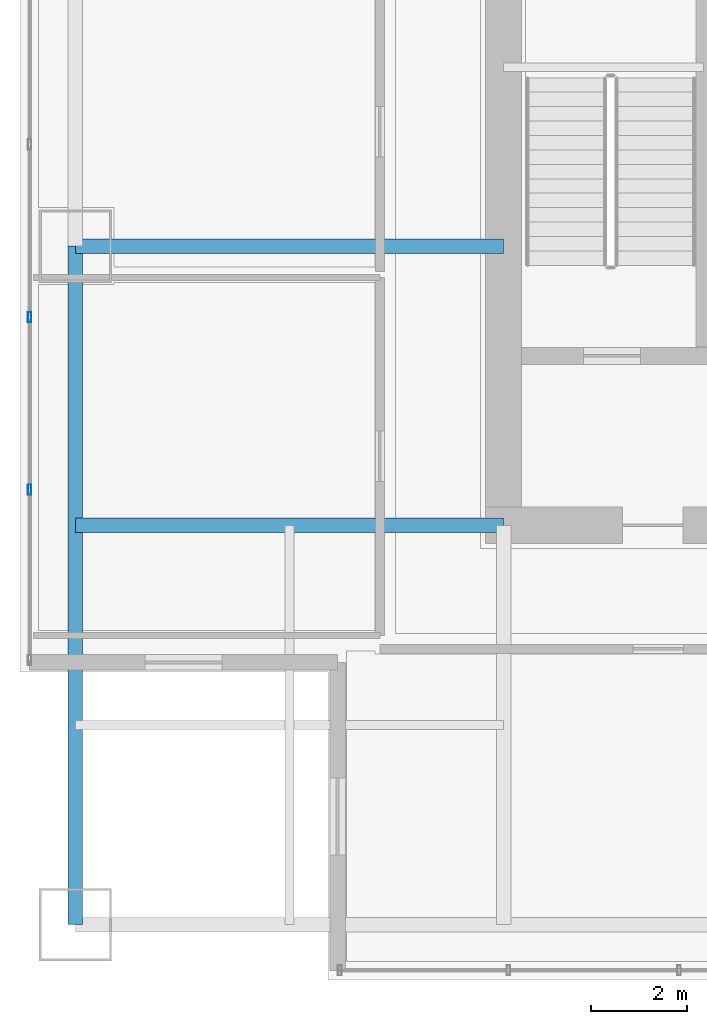
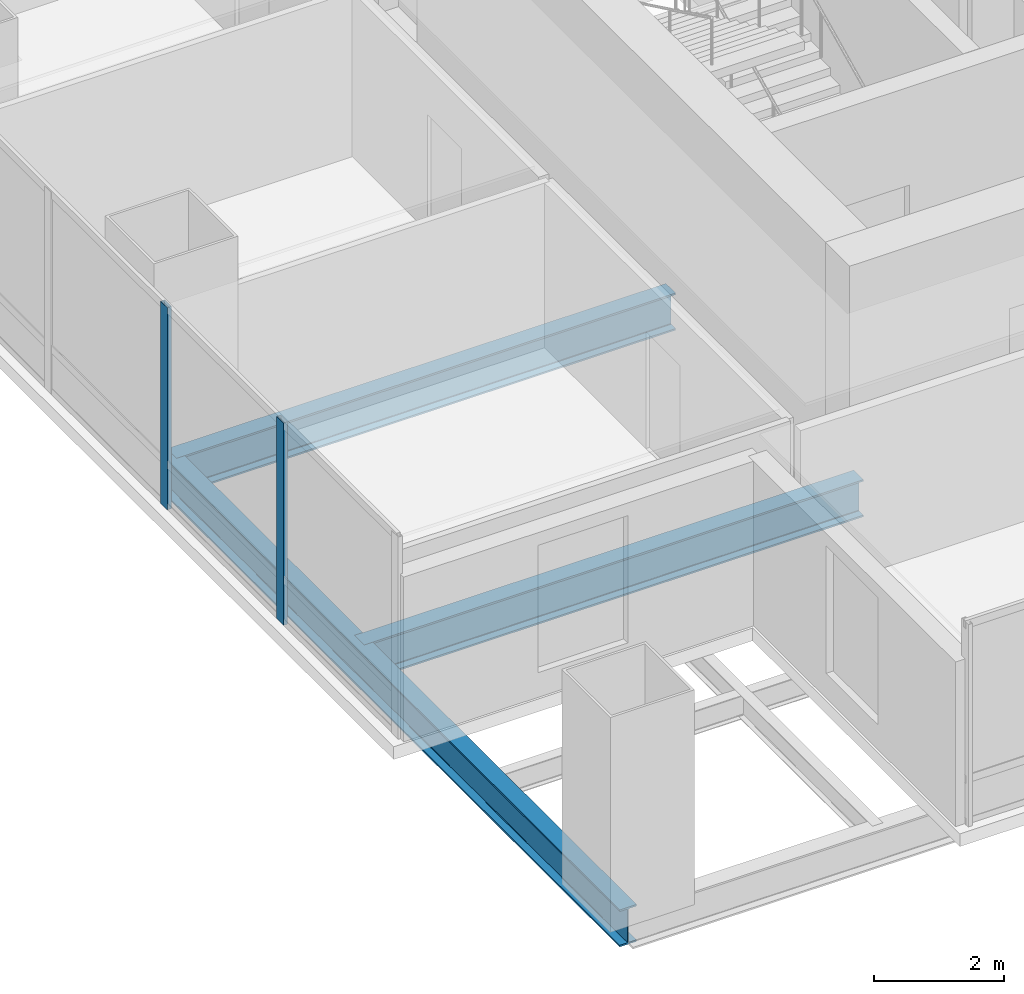
# One storey, part 4 of 34: 3 beams, 2 members, 1 element without a shape of its own.
"""IFC4 building model written with IfcOpenShell, lengths in metres."""

import ifcopenshell
import ifcopenshell.guid

model = None  # the IFC model being written
_history = None  # IfcOwnerHistory: only IFC2X3 demands one
_inside = {}  # id of a spatial element -> (the spatial element, [elements in it])
_under = {}  # id of a project, library or spatial element -> (it, [spatial elements below it])
_declared = {}  # id of a project -> (the project, [libraries it declares])
_typed = {}  # id of a type object -> (the type object, [elements of that type])
_made_of = {}  # id of a material, layer set ... -> (it, [elements and type objects made of it])


def new_model(schema):
    """Start an empty IFC model of exactly this schema.

    Asked for "IFC4X3", IfcOpenShell would pick the latest addendum, in which some entities
    have other attributes; the version numbers below select the first issue.
    IFC2X3 requires an IfcOwnerHistory on every rooted entity: one is made here for all.
    """
    global model, _history
    if schema == "IFC4X3":
        model = ifcopenshell.file(schema_version=(4, 3, 0, 0))
    else:
        model = ifcopenshell.file(schema=schema)
    _inside.clear()
    _under.clear()
    _declared.clear()
    _typed.clear()
    _made_of.clear()
    _history = None
    if model.schema == "IFC2X3":
        org = make("IfcOrganization", Name="unknown")
        user = make(
            "IfcPersonAndOrganization",
            ThePerson=make("IfcPerson", FamilyName="unknown"),
            TheOrganization=org,
        )
        app = make(
            "IfcApplication",
            ApplicationDeveloper=org,
            Version="unknown",
            ApplicationFullName="unknown",
            ApplicationIdentifier="unknown",
        )
        _history = make(
            "IfcOwnerHistory",
            OwningUser=user,
            OwningApplication=app,
            ChangeAction="ADDED",
            CreationDate=0,
        )
    return model


def make(cls, **values):
    """One entity of the class cls with the attributes given. An attribute that is None is left unset."""
    return model.create_entity(
        cls, **{name: value for name, value in values.items() if value is not None}
    )


def rooted(cls, **values):
    """An entity with a GlobalId (a new one), such as an element, a storey or a relation."""
    return make(cls, GlobalId=ifcopenshell.guid.new(), OwnerHistory=_history, **values)


def si_unit(unit_type, name, prefix=None):
    """IfcSIUnit, for example si_unit("LENGTHUNIT", "METRE", prefix="MILLI")."""
    return make("IfcSIUnit", UnitType=unit_type, Prefix=prefix, Name=name)


def assignment(units):
    """IfcUnitAssignment: the units of a project."""
    return None if units is None else make("IfcUnitAssignment", Units=units)


def point(xyz):
    """IfcCartesianPoint."""
    return None if xyz is None else make("IfcCartesianPoint", Coordinates=xyz)


def direction(xyz):
    """IfcDirection."""
    return None if xyz is None else make("IfcDirection", DirectionRatios=xyz)


def frame(location, z_axis=None, x_axis=None):
    """IfcAxis2Placement3D, a coordinate frame: its origin and axes. An axis left out is left unset."""
    return make(
        "IfcAxis2Placement3D",
        Location=point(location),
        Axis=direction(z_axis),
        RefDirection=direction(x_axis),
    )


def frame_2d(location, x_axis=None):
    """IfcAxis2Placement2D, a coordinate frame in the plane: its origin and x axis."""
    return make(
        "IfcAxis2Placement2D", Location=point(location), RefDirection=direction(x_axis)
    )


def origin():
    """The frame at (0, 0, 0) with its axes left unset."""
    return frame((0.0, 0.0, 0.0))


def origin_2d():
    """The frame at (0, 0) in the plane with its x axis left unset."""
    return frame_2d((0.0, 0.0))


def place(relative_to, where):
    """IfcLocalPlacement: puts the frame where relative to a parent placement (None: the world)."""
    return make(
        "IfcLocalPlacement", PlacementRelTo=relative_to, RelativePlacement=where
    )


def context(
    kind, dimensions, precision=None, world=None, true_north=None, identifier=None
):
    """IfcGeometricRepresentationContext, for example the 3D "Model" context."""
    return make(
        "IfcGeometricRepresentationContext",
        ContextIdentifier=identifier,
        ContextType=kind,
        CoordinateSpaceDimension=dimensions,
        Precision=precision,
        WorldCoordinateSystem=world,
        TrueNorth=true_north,
    )


def subcontext(parent, identifier, kind, view, scale=None):
    """IfcGeometricRepresentationSubContext, for example "Body" below "Model"."""
    return make(
        "IfcGeometricRepresentationSubContext",
        ContextIdentifier=identifier,
        ContextType=kind,
        ParentContext=parent,
        TargetScale=scale,
        TargetView=view,
    )


def project(units=None, contexts=None):
    """IfcProject with its units and contexts."""
    return rooted(
        "IfcProject",
        Name="project",
        RepresentationContexts=contexts,
        UnitsInContext=assignment(units),
    )


def spatial(cls, under=None, at=None, **own):
    """A site, building, storey or space (cls), placed at a placement, below another one or the project."""
    s = rooted(cls, ObjectPlacement=at, **own)
    if under is not None:
        _under.setdefault(under.id(), (under, []))[1].append(s)
    return s


def profile(cls, at=None, kind="AREA", **sizes):
    """A parametric profile (cls). Its sizes go by their IFC names, for example OverallWidth=200.0."""
    return make(cls, ProfileType=kind, Position=at, **sizes)


def hollow_rectangle(**sizes):
    """IfcRectangleHollowProfileDef."""
    return profile("IfcRectangleHollowProfileDef", **sizes)


def i_section(**sizes):
    """IfcIShapeProfileDef."""
    return profile("IfcIShapeProfileDef", **sizes)


def extrude(swept, where, along, depth):
    """IfcExtrudedAreaSolid: the profile swept, set in the frame where, extruded along a direction by depth."""
    return make(
        "IfcExtrudedAreaSolid",
        SweptArea=swept,
        Position=where,
        ExtrudedDirection=direction(along),
        Depth=depth,
    )


def shape(context_of_items, identifier, shape_type, items):
    """IfcShapeRepresentation: the items that make up one representation, for example the "Body"."""
    return make(
        "IfcShapeRepresentation",
        ContextOfItems=context_of_items,
        RepresentationIdentifier=identifier,
        RepresentationType=shape_type,
        Items=items,
    )


def material(Name=None, Category=None):
    """IfcMaterial."""
    return make("IfcMaterial", Name=Name, Category=Category)


def material_profile(
    of_material, cross_section, Name=None, Category=None, Priority=None
):
    """IfcMaterialProfile: a cross section and its material."""
    return make(
        "IfcMaterialProfile",
        Name=Name,
        Material=of_material,
        Profile=cross_section,
        Priority=Priority,
        Category=Category,
    )


def profile_set(profiles, Name=None, composite=None):
    """IfcMaterialProfileSet."""
    return make(
        "IfcMaterialProfileSet",
        Name=Name,
        MaterialProfiles=profiles,
        CompositeProfile=composite,
    )


def made_of(thing, what):
    """Note that an element or type object is made of a material, layer set ...; save() writes the relation."""
    if what is not None:
        _made_of.setdefault(what.id(), (what, []))[1].append(thing)
    return thing


def type_object(cls, material=None, **own):
    """A type object (cls), such as IfcWallType, which elements share."""
    return made_of(rooted(cls, **own), material)


def element(
    cls,
    number,
    at=None,
    inside=None,
    cuts=None,
    type_object=None,
    material=None,
    context=None,
    identifier="Body",
    shape_type=None,
    held_by="IfcProductDefinitionShape",
    body=None,
    shapes=None,
    **own,
):
    """One element of the class cls, such as IfcWall. Its Tag is "e" and its number.

    at: its placement. inside: the storey or other place that contains it. cuts: it is an
    opening in that element (IfcRelVoidsElement). A single representation is given by context,
    identifier, shape_type and body (its items); several are given by shapes. held_by: the class
    of the entity that holds the representations. save() writes the other relations.
    """
    e = rooted(cls, Tag="e%d" % number, ObjectPlacement=at, **own)
    if body is not None:
        shapes = [shape(context, identifier, shape_type, body)]
    if shapes is not None:
        e.Representation = make(held_by, Representations=shapes)
    if inside is not None:
        _inside.setdefault(inside.id(), (inside, []))[1].append(e)
    if cuts is not None:
        rooted(
            "IfcRelVoidsElement", RelatingBuildingElement=cuts, RelatedOpeningElement=e
        )
    if type_object is not None:
        _typed.setdefault(type_object.id(), (type_object, []))[1].append(e)
    return made_of(e, material)


def aggregate(whole, parts):
    """IfcRelAggregates: a whole, such as a stair, and the parts it consists of."""
    return rooted("IfcRelAggregates", RelatingObject=whole, RelatedObjects=parts)


def save(model, path):
    """Write the relations noted so far, then the file.

    IfcRelAggregates (storeys below a building ...), IfcRelContainedInSpatialStructure (elements
    in a storey), IfcRelDefinesByType, IfcRelAssociatesMaterial and IfcRelDeclares: one each for
    every whole, place, type object, material and project.
    """
    for whole, parts in _under.values():
        aggregate(whole, parts)
    for where, things in _inside.values():
        rooted(
            "IfcRelContainedInSpatialStructure",
            RelatedElements=things,
            RelatingStructure=where,
        )
    for kind, things in _typed.values():
        rooted("IfcRelDefinesByType", RelatedObjects=things, RelatingType=kind)
    for what, things in _made_of.values():
        rooted("IfcRelAssociatesMaterial", RelatedObjects=things, RelatingMaterial=what)
    for by, libraries in _declared.values():
        rooted("IfcRelDeclares", RelatingContext=by, RelatedDefinitions=libraries)
    model.write(path)


model = new_model("IFC4")

# Units and contexts
model_context = context("Model", 3, precision=1e-05, world=origin(), true_north=direction((0.0, 1.0)))
body_context = subcontext(model_context, "Body", "Model", "MODEL_VIEW")
ifc_project = project(units=[si_unit("LENGTHUNIT", "METRE"), si_unit("AREAUNIT", "SQUARE_METRE"), si_unit("VOLUMEUNIT", "CUBIC_METRE"), si_unit("PLANEANGLEUNIT", "RADIAN"), si_unit("MASSUNIT", "GRAM", prefix="KILO")], contexts=[model_context])

# Site, building, storey
site_placement = place(None, origin())
site = spatial("IfcSite", under=ifc_project, at=site_placement, CompositionType="ELEMENT")
building_placement = place(site_placement, origin())
building = spatial("IfcBuilding", under=site, at=building_placement, Name="Punatoya Terracotta Tower", CompositionType="ELEMENT")
storey_placement = place(building_placement, frame((0.0, 0.0, 117.300048828125)))
storey = spatial("IfcBuildingStorey", under=building, at=storey_placement, Name="L27", CompositionType="ELEMENT", Elevation=117.300048828125)

# Beams
ifc_material_1 = material(Name="Steel S355", Category="steel")
ifc_material_profile_1 = material_profile(ifc_material_1, i_section(OverallWidth=0.300048828125, OverallDepth=0.699951171875, WebThickness=0.01708984375, FlangeThickness=0.031982421875, FilletRadius=0.01806640625, at=origin_2d()))
ifc_profile_set_1 = profile_set([ifc_material_profile_1], Name="Steel S355")
beam_type = type_object("IfcBeamType", Name="BM-PRI-700", PredefinedType="BEAM", material=ifc_profile_set_1)
beam_placement = place(storey_placement, frame((-19.10009765625, -17.5, -0.590087890625), z_axis=(0.0, 1.0, 0.0), x_axis=(-1.0, 0.0, 0.0)))
element("IfcBeam", 1, at=beam_placement, inside=storey, type_object=beam_type, Name="BM-L27-RG-W1", PredefinedType="BEAM", context=body_context, shape_type="SweptSolid", body=[
    extrude(i_section(OverallWidth=0.300048828125, OverallDepth=0.699951171875, WebThickness=0.01708984375, FlangeThickness=0.031982421875, FilletRadius=0.01806640625, at=origin_2d()), origin(), (0.0, 0.0, 1.0), 14.10009765625),
])
for number, where, z_axis, x_axis, name in (
    (2, (-19.10009765625, -9.199951171875, -0.590087890625), (1.0, 0.0, 0.0), (0.0, 1.0, 0.0), "BM-L27-PR-WS"),
    (3, (-19.10009765625, -3.39990234375, -0.590087890625), (1.0, 0.0, 0.0), (0.0, 1.0, 0.0), "BM-L27-PR-WD"),
):
    element("IfcBeam", number, at=place(storey_placement, frame(where, z_axis=z_axis, x_axis=x_axis)), inside=storey, type_object=beam_type, Name=name, PredefinedType="BEAM", context=body_context, shape_type="SweptSolid", body=[
        extrude(i_section(OverallWidth=0.300048828125, OverallDepth=0.699951171875, WebThickness=0.01708984375, FlangeThickness=0.031982421875, FilletRadius=0.01806640625, at=origin_2d()), origin(), (0.0, 0.0, 1.0), 8.900146484375),
    ])

# Curtain wall, members
ifc_material_2 = material(Name="Aluminium 6063-T6 + Double Low-E Glass", Category="aluminium")
curtain_wall_type = type_object("IfcCurtainWallType", Name="CW-M1", PredefinedType="NOTDEFINED", material=ifc_material_2)
curtain_wall_placement = place(storey_placement, origin())
curtain_wall = element("IfcCurtainWall", 4, at=curtain_wall_placement, inside=storey, type_object=curtain_wall_type, Name="L27 Curtain Wall CW-L27-W12-1", PredefinedType="NOTDEFINED")
ifc_material_3 = material(Name="Aluminium 6063-T6", Category="aluminium")
ifc_material_profile_2 = material_profile(ifc_material_3, hollow_rectangle(XDim=0.074951171875, YDim=0.2099609375, WallThickness=0.00439453125, at=origin_2d()))
ifc_profile_set_2 = profile_set([ifc_material_profile_2], Name="Aluminium 6063-T6")
member_type = type_object("IfcMemberType", Name="CW-MUL-M1", PredefinedType="MULLION", material=ifc_profile_set_2)
member_1_placement = place(storey_placement, frame((-20.050048828125, -4.875, 0.0), z_axis=(0.0, 0.0, 1.0), x_axis=(1.0, 0.0, 0.0)))
member_1 = element("IfcMember", 5, at=member_1_placement, type_object=member_type, Name="CW-L27-W12-1 Mullion 07", PredefinedType="MULLION", context=body_context, shape_type="SweptSolid", body=[
    extrude(hollow_rectangle(XDim=0.074951171875, YDim=0.2099609375, WallThickness=0.00439453125, at=origin_2d()), origin(), (0.0, 0.0, 1.0), 3.81005859375),
])
member_2_placement = place(storey_placement, frame((-20.050048828125, -8.462646484375, 0.0), z_axis=(0.0, 0.0, 1.0), x_axis=(1.0, 0.0, 0.0)))
member_2 = element("IfcMember", 6, at=member_2_placement, type_object=member_type, Name="CW-L27-W12-1 Mullion 08", PredefinedType="MULLION", context=body_context, shape_type="SweptSolid", body=[
    extrude(hollow_rectangle(XDim=0.074951171875, YDim=0.2099609375, WallThickness=0.00439453125, at=origin_2d()), origin(), (0.0, 0.0, 1.0), 3.81005859375),
])
aggregate(curtain_wall, [member_1, member_2])

save(model, "model.ifc")
